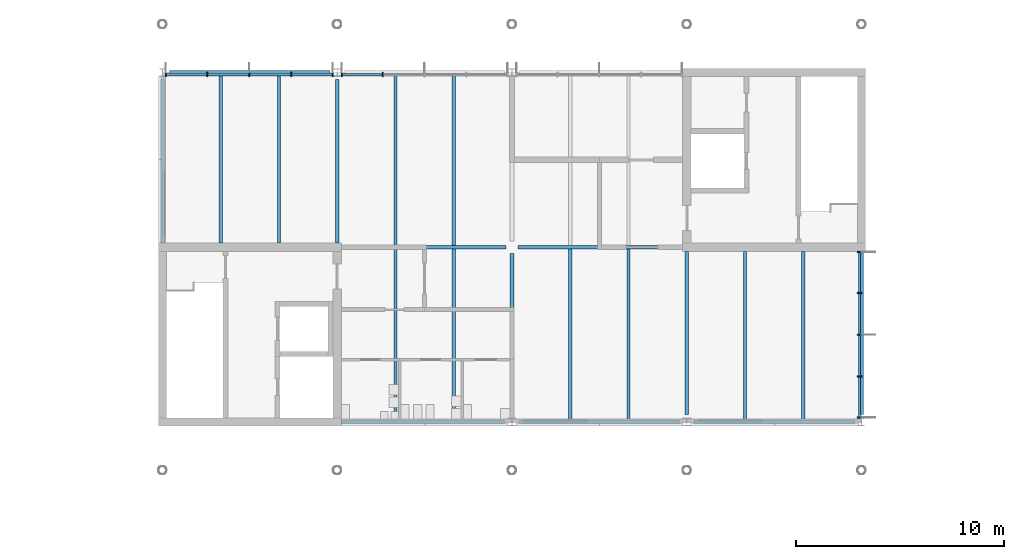
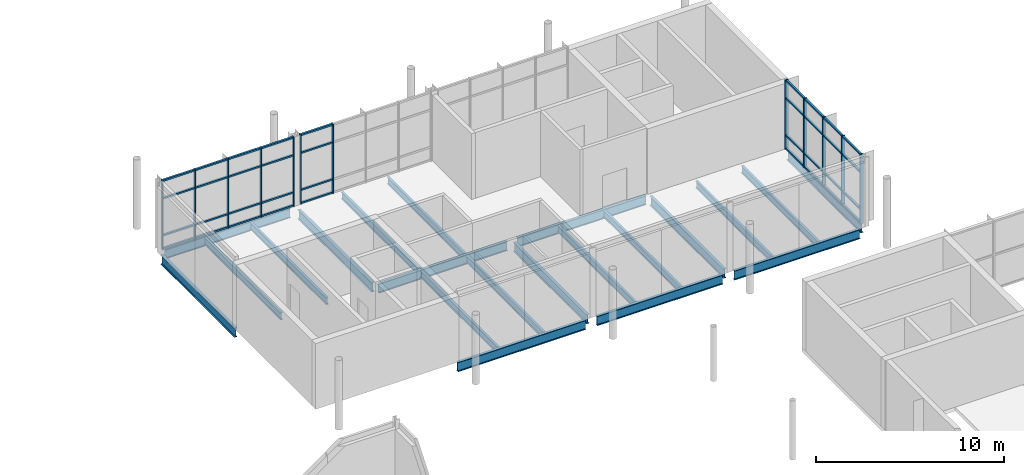
# One storey, part 31 of 89: 48 members, 21 beams, 3 elements without a shape of their own.
"""IFC4 building model written with IfcOpenShell, lengths in metres."""

import ifcopenshell
import ifcopenshell.guid

model = None  # the IFC model being written
_history = None  # IfcOwnerHistory: only IFC2X3 demands one
_inside = {}  # id of a spatial element -> (the spatial element, [elements in it])
_under = {}  # id of a project, library or spatial element -> (it, [spatial elements below it])
_declared = {}  # id of a project -> (the project, [libraries it declares])
_typed = {}  # id of a type object -> (the type object, [elements of that type])
_made_of = {}  # id of a material, layer set ... -> (it, [elements and type objects made of it])


def new_model(schema):
    """Start an empty IFC model of exactly this schema.

    Asked for "IFC4X3", IfcOpenShell would pick the latest addendum, in which some entities
    have other attributes; the version numbers below select the first issue.
    IFC2X3 requires an IfcOwnerHistory on every rooted entity: one is made here for all.
    """
    global model, _history
    if schema == "IFC4X3":
        model = ifcopenshell.file(schema_version=(4, 3, 0, 0))
    else:
        model = ifcopenshell.file(schema=schema)
    _inside.clear()
    _under.clear()
    _declared.clear()
    _typed.clear()
    _made_of.clear()
    _history = None
    if model.schema == "IFC2X3":
        org = make("IfcOrganization", Name="unknown")
        user = make(
            "IfcPersonAndOrganization",
            ThePerson=make("IfcPerson", FamilyName="unknown"),
            TheOrganization=org,
        )
        app = make(
            "IfcApplication",
            ApplicationDeveloper=org,
            Version="unknown",
            ApplicationFullName="unknown",
            ApplicationIdentifier="unknown",
        )
        _history = make(
            "IfcOwnerHistory",
            OwningUser=user,
            OwningApplication=app,
            ChangeAction="ADDED",
            CreationDate=0,
        )
    return model


def make(cls, **values):
    """One entity of the class cls with the attributes given. An attribute that is None is left unset."""
    return model.create_entity(
        cls, **{name: value for name, value in values.items() if value is not None}
    )


def rooted(cls, **values):
    """An entity with a GlobalId (a new one), such as an element, a storey or a relation."""
    return make(cls, GlobalId=ifcopenshell.guid.new(), OwnerHistory=_history, **values)


def si_unit(unit_type, name, prefix=None):
    """IfcSIUnit, for example si_unit("LENGTHUNIT", "METRE", prefix="MILLI")."""
    return make("IfcSIUnit", UnitType=unit_type, Prefix=prefix, Name=name)


def assignment(units):
    """IfcUnitAssignment: the units of a project."""
    return None if units is None else make("IfcUnitAssignment", Units=units)


def point(xyz):
    """IfcCartesianPoint."""
    return None if xyz is None else make("IfcCartesianPoint", Coordinates=xyz)


def direction(xyz):
    """IfcDirection."""
    return None if xyz is None else make("IfcDirection", DirectionRatios=xyz)


def frame(location, z_axis=None, x_axis=None):
    """IfcAxis2Placement3D, a coordinate frame: its origin and axes. An axis left out is left unset."""
    return make(
        "IfcAxis2Placement3D",
        Location=point(location),
        Axis=direction(z_axis),
        RefDirection=direction(x_axis),
    )


def frame_2d(location, x_axis=None):
    """IfcAxis2Placement2D, a coordinate frame in the plane: its origin and x axis."""
    return make(
        "IfcAxis2Placement2D", Location=point(location), RefDirection=direction(x_axis)
    )


def origin():
    """The frame at (0, 0, 0) with its axes left unset."""
    return frame((0.0, 0.0, 0.0))


def origin_2d():
    """The frame at (0, 0) in the plane with its x axis left unset."""
    return frame_2d((0.0, 0.0))


def place(relative_to, where):
    """IfcLocalPlacement: puts the frame where relative to a parent placement (None: the world)."""
    return make(
        "IfcLocalPlacement", PlacementRelTo=relative_to, RelativePlacement=where
    )


def context(
    kind, dimensions, precision=None, world=None, true_north=None, identifier=None
):
    """IfcGeometricRepresentationContext, for example the 3D "Model" context."""
    return make(
        "IfcGeometricRepresentationContext",
        ContextIdentifier=identifier,
        ContextType=kind,
        CoordinateSpaceDimension=dimensions,
        Precision=precision,
        WorldCoordinateSystem=world,
        TrueNorth=true_north,
    )


def subcontext(parent, identifier, kind, view, scale=None):
    """IfcGeometricRepresentationSubContext, for example "Body" below "Model"."""
    return make(
        "IfcGeometricRepresentationSubContext",
        ContextIdentifier=identifier,
        ContextType=kind,
        ParentContext=parent,
        TargetScale=scale,
        TargetView=view,
    )


def project(units=None, contexts=None):
    """IfcProject with its units and contexts."""
    return rooted(
        "IfcProject",
        Name="project",
        RepresentationContexts=contexts,
        UnitsInContext=assignment(units),
    )


def spatial(cls, under=None, at=None, **own):
    """A site, building, storey or space (cls), placed at a placement, below another one or the project."""
    s = rooted(cls, ObjectPlacement=at, **own)
    if under is not None:
        _under.setdefault(under.id(), (under, []))[1].append(s)
    return s


def profile(cls, at=None, kind="AREA", **sizes):
    """A parametric profile (cls). Its sizes go by their IFC names, for example OverallWidth=200.0."""
    return make(cls, ProfileType=kind, Position=at, **sizes)


def rectangle(**sizes):
    """IfcRectangleProfileDef."""
    return profile("IfcRectangleProfileDef", **sizes)


def i_section(**sizes):
    """IfcIShapeProfileDef."""
    return profile("IfcIShapeProfileDef", **sizes)


def extrude(swept, where, along, depth):
    """IfcExtrudedAreaSolid: the profile swept, set in the frame where, extruded along a direction by depth."""
    return make(
        "IfcExtrudedAreaSolid",
        SweptArea=swept,
        Position=where,
        ExtrudedDirection=direction(along),
        Depth=depth,
    )


def shape(context_of_items, identifier, shape_type, items):
    """IfcShapeRepresentation: the items that make up one representation, for example the "Body"."""
    return make(
        "IfcShapeRepresentation",
        ContextOfItems=context_of_items,
        RepresentationIdentifier=identifier,
        RepresentationType=shape_type,
        Items=items,
    )


def material(Name=None, Category=None):
    """IfcMaterial."""
    return make("IfcMaterial", Name=Name, Category=Category)


def material_profile(
    of_material, cross_section, Name=None, Category=None, Priority=None
):
    """IfcMaterialProfile: a cross section and its material."""
    return make(
        "IfcMaterialProfile",
        Name=Name,
        Material=of_material,
        Profile=cross_section,
        Priority=Priority,
        Category=Category,
    )


def profile_set(profiles, Name=None, composite=None):
    """IfcMaterialProfileSet."""
    return make(
        "IfcMaterialProfileSet",
        Name=Name,
        MaterialProfiles=profiles,
        CompositeProfile=composite,
    )


def made_of(thing, what):
    """Note that an element or type object is made of a material, layer set ...; save() writes the relation."""
    if what is not None:
        _made_of.setdefault(what.id(), (what, []))[1].append(thing)
    return thing


def type_object(cls, material=None, **own):
    """A type object (cls), such as IfcWallType, which elements share."""
    return made_of(rooted(cls, **own), material)


def element(
    cls,
    number,
    at=None,
    inside=None,
    cuts=None,
    type_object=None,
    material=None,
    context=None,
    identifier="Body",
    shape_type=None,
    held_by="IfcProductDefinitionShape",
    body=None,
    shapes=None,
    **own,
):
    """One element of the class cls, such as IfcWall. Its Tag is "e" and its number.

    at: its placement. inside: the storey or other place that contains it. cuts: it is an
    opening in that element (IfcRelVoidsElement). A single representation is given by context,
    identifier, shape_type and body (its items); several are given by shapes. held_by: the class
    of the entity that holds the representations. save() writes the other relations.
    """
    e = rooted(cls, Tag="e%d" % number, ObjectPlacement=at, **own)
    if body is not None:
        shapes = [shape(context, identifier, shape_type, body)]
    if shapes is not None:
        e.Representation = make(held_by, Representations=shapes)
    if inside is not None:
        _inside.setdefault(inside.id(), (inside, []))[1].append(e)
    if cuts is not None:
        rooted(
            "IfcRelVoidsElement", RelatingBuildingElement=cuts, RelatedOpeningElement=e
        )
    if type_object is not None:
        _typed.setdefault(type_object.id(), (type_object, []))[1].append(e)
    return made_of(e, material)


def aggregate(whole, parts):
    """IfcRelAggregates: a whole, such as a stair, and the parts it consists of."""
    return rooted("IfcRelAggregates", RelatingObject=whole, RelatedObjects=parts)


def save(model, path):
    """Write the relations noted so far, then the file.

    IfcRelAggregates (storeys below a building ...), IfcRelContainedInSpatialStructure (elements
    in a storey), IfcRelDefinesByType, IfcRelAssociatesMaterial and IfcRelDeclares: one each for
    every whole, place, type object, material and project.
    """
    for whole, parts in _under.values():
        aggregate(whole, parts)
    for where, things in _inside.values():
        rooted(
            "IfcRelContainedInSpatialStructure",
            RelatedElements=things,
            RelatingStructure=where,
        )
    for kind, things in _typed.values():
        rooted("IfcRelDefinesByType", RelatedObjects=things, RelatingType=kind)
    for what, things in _made_of.values():
        rooted("IfcRelAssociatesMaterial", RelatedObjects=things, RelatingMaterial=what)
    for by, libraries in _declared.values():
        rooted("IfcRelDeclares", RelatingContext=by, RelatedDefinitions=libraries)
    model.write(path)


model = new_model("IFC4")

# Units and contexts
model_context = context("Model", 3, precision=1e-05, world=origin(), true_north=direction((0.0, 1.0)))
body_context = subcontext(model_context, "Body", "Model", "MODEL_VIEW")
ifc_project = project(units=[si_unit("LENGTHUNIT", "METRE"), si_unit("AREAUNIT", "SQUARE_METRE"), si_unit("VOLUMEUNIT", "CUBIC_METRE"), si_unit("PLANEANGLEUNIT", "RADIAN"), si_unit("MASSUNIT", "GRAM", prefix="KILO")], contexts=[model_context])

# Site, building, storey
site_placement = place(None, origin())
site = spatial("IfcSite", under=ifc_project, at=site_placement, CompositionType="ELEMENT")
building_placement = place(site_placement, origin())
building = spatial("IfcBuilding", under=site, at=building_placement, Name="Hlaing Beacon Police Headquarters", CompositionType="ELEMENT")
storey_placement = place(building_placement, frame((0.0, 0.0, 9.89990234375)))
storey = spatial("IfcBuildingStorey", under=building, at=storey_placement, Name="L02", CompositionType="ELEMENT", Elevation=9.89990234375)

# Beams
ifc_material_1 = material(Name="Steel ASTM A992 Grade 50", Category="steel")
ifc_material_profile_1 = material_profile(ifc_material_1, i_section(OverallWidth=0.177978515625, OverallDepth=0.599365234375, WebThickness=0.010009765625, FlangeThickness=0.012939453125, FilletRadius=0.012939453125, at=origin_2d()), Name="W24x55")
ifc_profile_set_1 = profile_set([ifc_material_profile_1], Name="Steel ASTM A992 Grade 50")
beam_type_1 = type_object("IfcBeamType", Name="Girder W24x55", PredefinedType="BEAM", material=ifc_profile_set_1)
beam_1_placement = place(storey_placement, frame((42.199951171875, 75.60009765625, -0.4296875), z_axis=(1.0, 0.0, 0.0), x_axis=(0.0, 1.0, 0.0)))
element("IfcBeam", 1, at=beam_1_placement, inside=storey, type_object=beam_type_1, Name="STR-BM-L02-GX-F10-G10", PredefinedType="BEAM", context=body_context, shape_type="SweptSolid", body=[
    extrude(i_section(OverallWidth=0.177978515625, OverallDepth=0.599365234375, WebThickness=0.010009765625, FlangeThickness=0.012939453125, FilletRadius=0.012939453125, at=origin_2d()), origin(), (0.0, 0.0, 1.0), 7.85009765625),
])
beam_2_placement = place(storey_placement, frame((50.75, 75.60009765625, -0.4296875), z_axis=(1.0, 0.0, 0.0), x_axis=(0.0, 1.0, 0.0)))
element("IfcBeam", 2, at=beam_2_placement, inside=storey, type_object=beam_type_1, Name="STR-BM-L02-GX-G10-H10", PredefinedType="BEAM", context=body_context, shape_type="SweptSolid", body=[
    extrude(i_section(OverallWidth=0.177978515625, OverallDepth=0.599365234375, WebThickness=0.010009765625, FlangeThickness=0.012939453125, FilletRadius=0.012939453125, at=origin_2d()), origin(), (0.0, 0.0, 1.0), 7.699951171875),
])
beam_3_placement = place(storey_placement, frame((59.14990234375, 75.60009765625, -0.4296875), z_axis=(1.0, 0.0, 0.0), x_axis=(0.0, 1.0, 0.0)))
element("IfcBeam", 3, at=beam_3_placement, inside=storey, type_object=beam_type_1, Name="STR-BM-L02-GX-H10-J10", PredefinedType="BEAM", context=body_context, shape_type="SweptSolid", body=[
    extrude(i_section(OverallWidth=0.177978515625, OverallDepth=0.599365234375, WebThickness=0.010009765625, FlangeThickness=0.012939453125, FilletRadius=0.012939453125, at=origin_2d()), origin(), (0.0, 0.0, 1.0), 7.7001953125),
])
for number, where, z_axis, x_axis, name in (
    (4, (42.199951171875, 84.0, -0.4296875), (1.0, 0.0, 0.0), (0.0, 1.0, 0.0), "STR-BM-L02-GX-F11-G11"),
    (5, (50.699951171875, 84.0, -0.4296875), (1.0, 0.0, 0.0), (0.0, 1.0, 0.0), "STR-BM-L02-GX-G11-H11"),
):
    element("IfcBeam", number, at=place(storey_placement, frame(where, z_axis=z_axis, x_axis=x_axis)), inside=storey, type_object=beam_type_1, Name=name, PredefinedType="BEAM", context=body_context, shape_type="SweptSolid", body=[
        extrude(i_section(OverallWidth=0.177978515625, OverallDepth=0.599365234375, WebThickness=0.010009765625, FlangeThickness=0.012939453125, FilletRadius=0.012939453125, at=origin_2d()), origin(), (0.0, 0.0, 1.0), 7.900146484375),
    ])
beam_4_placement = place(storey_placement, frame((33.949951171875, 92.39990234375, -0.4296875), z_axis=(1.0, 0.0, 0.0), x_axis=(0.0, 1.0, 0.0)))
element("IfcBeam", 6, at=beam_4_placement, inside=storey, type_object=beam_type_1, Name="STR-BM-L02-GX-E12-F12", PredefinedType="BEAM", context=body_context, shape_type="SweptSolid", body=[
    extrude(i_section(OverallWidth=0.177978515625, OverallDepth=0.599365234375, WebThickness=0.010009765625, FlangeThickness=0.012939453125, FilletRadius=0.012939453125, at=origin_2d()), origin(), (0.0, 0.0, 1.0), 7.699951171875),
])
for number, where, z_axis, x_axis, name in (
    (7, (33.60009765625, 84.199951171875, -0.4296875), (0.0, 1.0, 0.0), (-1.0, 0.0, 0.0), "STR-BM-L02-GY-E11-E12"),
    (8, (42.0, 84.199951171875, -0.4296875), (0.0, 1.0, 0.0), (-1.0, 0.0, 0.0), "STR-BM-L02-GY-F11-F12"),
):
    element("IfcBeam", number, at=place(storey_placement, frame(where, z_axis=z_axis, x_axis=x_axis)), inside=storey, type_object=beam_type_1, Name=name, PredefinedType="BEAM", context=body_context, shape_type="SweptSolid", body=[
        extrude(i_section(OverallWidth=0.177978515625, OverallDepth=0.599365234375, WebThickness=0.010009765625, FlangeThickness=0.012939453125, FilletRadius=0.012939453125, at=origin_2d()), origin(), (0.0, 0.0, 1.0), 7.85009765625),
    ])
beam_5_placement = place(storey_placement, frame((50.39990234375, 75.949951171875, -0.4296875), z_axis=(0.0, 1.0, 0.0), x_axis=(-1.0, 0.0, 0.0)))
element("IfcBeam", 9, at=beam_5_placement, inside=storey, type_object=beam_type_1, Name="STR-BM-L02-GY-G10-G11", PredefinedType="BEAM", context=body_context, shape_type="SweptSolid", body=[
    extrude(i_section(OverallWidth=0.177978515625, OverallDepth=0.599365234375, WebThickness=0.010009765625, FlangeThickness=0.012939453125, FilletRadius=0.012939453125, at=origin_2d()), origin(), (0.0, 0.0, 1.0), 7.75),
])
for number, where, z_axis, x_axis, name in (
    (10, (58.800048828125, 75.949951171875, -0.4296875), (0.0, 1.0, 0.0), (-1.0, 0.0, 0.0), "STR-BM-L02-GY-H10-H11"),
    (11, (67.199951171875, 75.949951171875, -0.4296875), (0.0, 1.0, 0.0), (-1.0, 0.0, 0.0), "STR-BM-L02-GY-J10-J11"),
):
    element("IfcBeam", number, at=place(storey_placement, frame(where, z_axis=z_axis, x_axis=x_axis)), inside=storey, type_object=beam_type_1, Name=name, PredefinedType="BEAM", context=body_context, shape_type="SweptSolid", body=[
        extrude(i_section(OverallWidth=0.177978515625, OverallDepth=0.599365234375, WebThickness=0.010009765625, FlangeThickness=0.012939453125, FilletRadius=0.012939453125, at=origin_2d()), origin(), (0.0, 0.0, 1.0), 7.85009765625),
    ])

# Curtain wall, members
ifc_material_2 = material(Name="Aluminium frame with solar control glazing", Category="aluminium")
curtain_wall_type_1 = type_object("IfcCurtainWallType", Name="Unitised curtain wall 8.03 x 4.50", PredefinedType="NOTDEFINED", material=ifc_material_2)
curtain_wall_1_placement = place(storey_placement, origin())
curtain_wall_1 = element("IfcCurtainWall", 12, at=curtain_wall_1_placement, inside=storey, type_object=curtain_wall_type_1, Name="ENV-CW-L02-N035", PredefinedType="NOTDEFINED")
ifc_material_3 = material(Name="Aluminium", Category="aluminium")
ifc_material_profile_2 = material_profile(ifc_material_3, rectangle(XDim=0.199951171875, YDim=0.06005859375, at=origin_2d()), Name="Mullion 60x200")
ifc_profile_set_2 = profile_set([ifc_material_profile_2], Name="Aluminium")
member_type_1 = type_object("IfcMemberType", Name="Mullion 60x200", PredefinedType="MULLION", material=ifc_profile_set_2)
member_1_placement = place(storey_placement, frame((44.192626953125, 92.300048828125, 0.0), z_axis=(0.0, 0.0, 1.0), x_axis=(0.0, -1.0, 0.0)))
member_1 = element("IfcMember", 13, at=member_1_placement, type_object=member_type_1, Name="CW-L02-N035 mullion 4", PredefinedType="MULLION", context=body_context, shape_type="SweptSolid", body=[
    extrude(rectangle(XDim=0.199951171875, YDim=0.06005859375, at=origin_2d()), origin(), (0.0, 0.0, 1.0), 4.5),
])
member_2_placement = place(storey_placement, frame((42.21533203125, 92.300048828125, 0.0), z_axis=(0.0, 0.0, 1.0), x_axis=(0.0, -1.0, 0.0)))
member_2 = element("IfcMember", 14, at=member_2_placement, type_object=member_type_1, Name="CW-L02-N035 mullion 5", PredefinedType="MULLION", context=body_context, shape_type="SweptSolid", body=[
    extrude(rectangle(XDim=0.199951171875, YDim=0.06005859375, at=origin_2d()), origin(), (0.0, 0.0, 1.0), 4.5),
])

ifc_material_4 = material(Name="Aluminium frame with solar control glazing", Category="aluminium")
curtain_wall_type_2 = type_object("IfcCurtainWallType", Name="Unitised curtain wall 8.09 x 4.50", PredefinedType="NOTDEFINED", material=ifc_material_4)
curtain_wall_2_placement = place(storey_placement, origin())
curtain_wall_2 = element("IfcCurtainWall", 15, at=curtain_wall_2_placement, inside=storey, type_object=curtain_wall_type_2, Name="ENV-CW-L02-N036", PredefinedType="NOTDEFINED")
member_3_placement = place(storey_placement, frame((41.78466796875, 92.300048828125, 0.0), z_axis=(0.0, 0.0, 1.0), x_axis=(0.0, -1.0, 0.0)))
member_3 = element("IfcMember", 16, at=member_3_placement, type_object=member_type_1, Name="CW-L02-N036 mullion 1", PredefinedType="MULLION", context=body_context, shape_type="SweptSolid", body=[
    extrude(rectangle(XDim=0.199951171875, YDim=0.06005859375, at=origin_2d()), origin(), (0.0, 0.0, 1.0), 4.5),
])
member_4_placement = place(storey_placement, frame((39.79296875, 92.300048828125, 0.0), z_axis=(0.0, 0.0, 1.0), x_axis=(0.0, -1.0, 0.0)))
member_4 = element("IfcMember", 17, at=member_4_placement, type_object=member_type_1, Name="CW-L02-N036 mullion 2", PredefinedType="MULLION", context=body_context, shape_type="SweptSolid", body=[
    extrude(rectangle(XDim=0.199951171875, YDim=0.06005859375, at=origin_2d()), origin(), (0.0, 0.0, 1.0), 4.5),
])
member_5_placement = place(storey_placement, frame((37.771484375, 92.300048828125, 0.0), z_axis=(0.0, 0.0, 1.0), x_axis=(0.0, -1.0, 0.0)))
member_5 = element("IfcMember", 18, at=member_5_placement, type_object=member_type_1, Name="CW-L02-N036 mullion 3", PredefinedType="MULLION", context=body_context, shape_type="SweptSolid", body=[
    extrude(rectangle(XDim=0.199951171875, YDim=0.06005859375, at=origin_2d()), origin(), (0.0, 0.0, 1.0), 4.5),
])
member_6_placement = place(storey_placement, frame((35.749755859375, 92.300048828125, 0.0), z_axis=(0.0, 0.0, 1.0), x_axis=(0.0, -1.0, 0.0)))
member_6 = element("IfcMember", 19, at=member_6_placement, type_object=member_type_1, Name="CW-L02-N036 mullion 4", PredefinedType="MULLION", context=body_context, shape_type="SweptSolid", body=[
    extrude(rectangle(XDim=0.199951171875, YDim=0.06005859375, at=origin_2d()), origin(), (0.0, 0.0, 1.0), 4.5),
])
member_7_placement = place(storey_placement, frame((33.75830078125, 92.300048828125, 0.0), z_axis=(0.0, 0.0, 1.0), x_axis=(0.0, -1.0, 0.0)))
member_7 = element("IfcMember", 20, at=member_7_placement, type_object=member_type_1, Name="CW-L02-N036 mullion 5", PredefinedType="MULLION", context=body_context, shape_type="SweptSolid", body=[
    extrude(rectangle(XDim=0.199951171875, YDim=0.06005859375, at=origin_2d()), origin(), (0.0, 0.0, 1.0), 4.5),
])

ifc_material_5 = material(Name="Aluminium frame with solar control glazing", Category="aluminium")
curtain_wall_type_3 = type_object("IfcCurtainWallType", Name="Unitised curtain wall 8.02 x 4.50", PredefinedType="NOTDEFINED", material=ifc_material_5)
curtain_wall_3_placement = place(storey_placement, origin())
curtain_wall_3 = element("IfcCurtainWall", 21, at=curtain_wall_3_placement, inside=storey, type_object=curtain_wall_type_3, Name="ENV-CW-L02-E037", PredefinedType="NOTDEFINED")
member_8_placement = place(storey_placement, frame((67.10009765625, 75.8115234375, 0.0), z_axis=(0.0, 0.0, 1.0), x_axis=(-1.0, 0.0, 0.0)))
member_8 = element("IfcMember", 22, at=member_8_placement, type_object=member_type_1, Name="CW-L02-E037 mullion 1", PredefinedType="MULLION", context=body_context, shape_type="SweptSolid", body=[
    extrude(rectangle(XDim=0.199951171875, YDim=0.06005859375, at=origin_2d()), origin(), (0.0, 0.0, 1.0), 4.5),
])
member_9_placement = place(storey_placement, frame((67.10009765625, 77.7861328125, 0.0), z_axis=(0.0, 0.0, 1.0), x_axis=(-1.0, 0.0, 0.0)))
member_9 = element("IfcMember", 23, at=member_9_placement, type_object=member_type_1, Name="CW-L02-E037 mullion 2", PredefinedType="MULLION", context=body_context, shape_type="SweptSolid", body=[
    extrude(rectangle(XDim=0.199951171875, YDim=0.06005859375, at=origin_2d()), origin(), (0.0, 0.0, 1.0), 4.5),
])
member_10_placement = place(storey_placement, frame((67.10009765625, 79.790771484375, 0.0), z_axis=(0.0, 0.0, 1.0), x_axis=(-1.0, 0.0, 0.0)))
member_10 = element("IfcMember", 24, at=member_10_placement, type_object=member_type_1, Name="CW-L02-E037 mullion 3", PredefinedType="MULLION", context=body_context, shape_type="SweptSolid", body=[
    extrude(rectangle(XDim=0.199951171875, YDim=0.06005859375, at=origin_2d()), origin(), (0.0, 0.0, 1.0), 4.5),
])
member_11_placement = place(storey_placement, frame((67.10009765625, 81.79541015625, 0.0), z_axis=(0.0, 0.0, 1.0), x_axis=(-1.0, 0.0, 0.0)))
member_11 = element("IfcMember", 25, at=member_11_placement, type_object=member_type_1, Name="CW-L02-E037 mullion 4", PredefinedType="MULLION", context=body_context, shape_type="SweptSolid", body=[
    extrude(rectangle(XDim=0.199951171875, YDim=0.06005859375, at=origin_2d()), origin(), (0.0, 0.0, 1.0), 4.5),
])
member_12_placement = place(storey_placement, frame((67.10009765625, 83.77001953125, 0.0), z_axis=(0.0, 0.0, 1.0), x_axis=(-1.0, 0.0, 0.0)))
member_12 = element("IfcMember", 26, at=member_12_placement, type_object=member_type_1, Name="CW-L02-E037 mullion 5", PredefinedType="MULLION", context=body_context, shape_type="SweptSolid", body=[
    extrude(rectangle(XDim=0.199951171875, YDim=0.06005859375, at=origin_2d()), origin(), (0.0, 0.0, 1.0), 4.5),
])

# Beams
ifc_material_6 = material(Name="Steel ASTM A992 Grade 50", Category="steel")
ifc_material_profile_3 = material_profile(ifc_material_6, i_section(OverallWidth=0.15234375, OverallDepth=0.449462890625, WebThickness=0.007568359375, FlangeThickness=0.0107421875, FilletRadius=0.01025390625, at=origin_2d()), Name="W18x35")
ifc_profile_set_3 = profile_set([ifc_material_profile_3], Name="Steel ASTM A992 Grade 50")
beam_type_2 = type_object("IfcBeamType", Name="Secondary beam W18x35", PredefinedType="BEAM", material=ifc_profile_set_3)
for number, where, z_axis, x_axis, name in (
    (27, (36.39990234375, 84.199951171875, -0.354736328125), (0.0, 1.0, 0.0), (-1.0, 0.0, 0.0), "STR-BM-L02-SB-E11-y1"),
    (28, (39.199951171875, 84.199951171875, -0.354736328125), (0.0, 1.0, 0.0), (-1.0, 0.0, 0.0), "STR-BM-L02-SB-E11-y2"),
):
    element("IfcBeam", number, at=place(storey_placement, frame(where, z_axis=z_axis, x_axis=x_axis)), inside=storey, type_object=beam_type_2, Name=name, PredefinedType="BEAM", context=body_context, shape_type="SweptSolid", body=[
        extrude(i_section(OverallWidth=0.15234375, OverallDepth=0.449462890625, WebThickness=0.007568359375, FlangeThickness=0.0107421875, FilletRadius=0.01025390625, at=origin_2d()), origin(), (0.0, 0.0, 1.0), 8.111083984375),
    ])
for number, where, z_axis, x_axis, name in (
    (29, (44.800048828125, 75.68896484375, -0.354736328125), (0.0, 1.0, 0.0), (-1.0, 0.0, 0.0), "STR-BM-L02-SB-F10-y1"),
    (30, (47.60009765625, 75.68896484375, -0.354736328125), (0.0, 1.0, 0.0), (-1.0, 0.0, 0.0), "STR-BM-L02-SB-F10-y2"),
    (31, (44.800048828125, 84.089111328125, -0.354736328125), (0.0, 1.0, 0.0), (-1.0, 0.0, 0.0), "STR-BM-L02-SB-F11-y1"),
    (32, (47.60009765625, 84.089111328125, -0.354736328125), (0.0, 1.0, 0.0), (-1.0, 0.0, 0.0), "STR-BM-L02-SB-F11-y2"),
    (33, (53.199951171875, 75.68896484375, -0.354736328125), (0.0, 1.0, 0.0), (-1.0, 0.0, 0.0), "STR-BM-L02-SB-G10-y1"),
    (34, (56.0, 75.68896484375, -0.354736328125), (0.0, 1.0, 0.0), (-1.0, 0.0, 0.0), "STR-BM-L02-SB-G10-y2"),
):
    element("IfcBeam", number, at=place(storey_placement, frame(where, z_axis=z_axis, x_axis=x_axis)), inside=storey, type_object=beam_type_2, Name=name, PredefinedType="BEAM", context=body_context, shape_type="SweptSolid", body=[
        extrude(i_section(OverallWidth=0.15234375, OverallDepth=0.449462890625, WebThickness=0.007568359375, FlangeThickness=0.0107421875, FilletRadius=0.01025390625, at=origin_2d()), origin(), (0.0, 0.0, 1.0), 8.221923828125),
    ])
for number, where, z_axis, x_axis, name in (
    (35, (61.60009765625, 75.68896484375, -0.354736328125), (0.0, 1.0, 0.0), (-1.0, 0.0, 0.0), "STR-BM-L02-SB-H10-y1"),
    (36, (64.39990234375, 75.68896484375, -0.354736328125), (0.0, 1.0, 0.0), (-1.0, 0.0, 0.0), "STR-BM-L02-SB-H10-y2"),
):
    element("IfcBeam", number, at=place(storey_placement, frame(where, z_axis=z_axis, x_axis=x_axis)), inside=storey, type_object=beam_type_2, Name=name, PredefinedType="BEAM", context=body_context, shape_type="SweptSolid", body=[
        extrude(i_section(OverallWidth=0.15234375, OverallDepth=0.449462890625, WebThickness=0.007568359375, FlangeThickness=0.0107421875, FilletRadius=0.01025390625, at=origin_2d()), origin(), (0.0, 0.0, 1.0), 8.111083984375),
    ])

# Member
ifc_material_7 = material(Name="Aluminium", Category="aluminium")
ifc_material_profile_4 = material_profile(ifc_material_7, rectangle(XDim=0.1201171875, YDim=0.10009765625, at=origin_2d()), Name="Transom 120x100")
ifc_profile_set_4 = profile_set([ifc_material_profile_4], Name="Aluminium")
member_type_2 = type_object("IfcMemberType", Name="Transom 120x100", PredefinedType="USERDEFINED", material=ifc_profile_set_4)
member_13_placement = place(storey_placement, frame((44.16259765625, 92.300048828125, 0.050048828125), z_axis=(-1.0, 0.0, 0.0), x_axis=(0.0, -1.0, 0.0)))
member_13 = element("IfcMember", 37, at=member_13_placement, type_object=member_type_2, Name="CW-L02-N035 transom 4.1", ObjectType="TRANSOM", PredefinedType="USERDEFINED", context=body_context, shape_type="SweptSolid", body=[
    extrude(rectangle(XDim=0.1201171875, YDim=0.10009765625, at=origin_2d()), origin(), (0.0, 0.0, 1.0), 1.917236328125),
])

member_14_placement = place(storey_placement, frame((44.16259765625, 92.300048828125, 0.900146484375), z_axis=(-1.0, 0.0, 0.0), x_axis=(0.0, -1.0, 0.0)))
member_14 = element("IfcMember", 38, at=member_14_placement, type_object=member_type_2, Name="CW-L02-N035 transom 4.2", ObjectType="TRANSOM", PredefinedType="USERDEFINED", context=body_context, shape_type="SweptSolid", body=[
    extrude(rectangle(XDim=0.1201171875, YDim=0.10009765625, at=origin_2d()), origin(), (0.0, 0.0, 1.0), 1.917236328125),
])

member_15_placement = place(storey_placement, frame((44.16259765625, 92.300048828125, 3.300048828125), z_axis=(-1.0, 0.0, 0.0), x_axis=(0.0, -1.0, 0.0)))
member_15 = element("IfcMember", 39, at=member_15_placement, type_object=member_type_2, Name="CW-L02-N035 transom 4.3", ObjectType="TRANSOM", PredefinedType="USERDEFINED", context=body_context, shape_type="SweptSolid", body=[
    extrude(rectangle(XDim=0.1201171875, YDim=0.10009765625, at=origin_2d()), origin(), (0.0, 0.0, 1.0), 1.917236328125),
])

member_16_placement = place(storey_placement, frame((44.16259765625, 92.300048828125, 4.4501953125), z_axis=(-1.0, 0.0, 0.0), x_axis=(0.0, -1.0, 0.0)))
member_16 = element("IfcMember", 40, at=member_16_placement, type_object=member_type_2, Name="CW-L02-N035 transom 4.4", ObjectType="TRANSOM", PredefinedType="USERDEFINED", context=body_context, shape_type="SweptSolid", body=[
    extrude(rectangle(XDim=0.1201171875, YDim=0.10009765625, at=origin_2d()), origin(), (0.0, 0.0, 1.0), 1.917236328125),
])

aggregate(curtain_wall_1, [member_1, member_2, member_13, member_14, member_15, member_16])

member_17_placement = place(storey_placement, frame((41.754638671875, 92.300048828125, 0.050048828125), z_axis=(-1.0, 0.0, 0.0), x_axis=(0.0, -1.0, 0.0)))
member_17 = element("IfcMember", 41, at=member_17_placement, type_object=member_type_2, Name="CW-L02-N036 transom 1.1", ObjectType="TRANSOM", PredefinedType="USERDEFINED", context=body_context, shape_type="SweptSolid", body=[
    extrude(rectangle(XDim=0.1201171875, YDim=0.10009765625, at=origin_2d()), origin(), (0.0, 0.0, 1.0), 1.931640625),
])

member_18_placement = place(storey_placement, frame((41.754638671875, 92.300048828125, 0.900146484375), z_axis=(-1.0, 0.0, 0.0), x_axis=(0.0, -1.0, 0.0)))
member_18 = element("IfcMember", 42, at=member_18_placement, type_object=member_type_2, Name="CW-L02-N036 transom 1.2", ObjectType="TRANSOM", PredefinedType="USERDEFINED", context=body_context, shape_type="SweptSolid", body=[
    extrude(rectangle(XDim=0.1201171875, YDim=0.10009765625, at=origin_2d()), origin(), (0.0, 0.0, 1.0), 1.931640625),
])

member_19_placement = place(storey_placement, frame((41.754638671875, 92.300048828125, 3.300048828125), z_axis=(-1.0, 0.0, 0.0), x_axis=(0.0, -1.0, 0.0)))
member_19 = element("IfcMember", 43, at=member_19_placement, type_object=member_type_2, Name="CW-L02-N036 transom 1.3", ObjectType="TRANSOM", PredefinedType="USERDEFINED", context=body_context, shape_type="SweptSolid", body=[
    extrude(rectangle(XDim=0.1201171875, YDim=0.10009765625, at=origin_2d()), origin(), (0.0, 0.0, 1.0), 1.931640625),
])

member_20_placement = place(storey_placement, frame((41.754638671875, 92.300048828125, 4.4501953125), z_axis=(-1.0, 0.0, 0.0), x_axis=(0.0, -1.0, 0.0)))
member_20 = element("IfcMember", 44, at=member_20_placement, type_object=member_type_2, Name="CW-L02-N036 transom 1.4", ObjectType="TRANSOM", PredefinedType="USERDEFINED", context=body_context, shape_type="SweptSolid", body=[
    extrude(rectangle(XDim=0.1201171875, YDim=0.10009765625, at=origin_2d()), origin(), (0.0, 0.0, 1.0), 1.931640625),
])

member_21_placement = place(storey_placement, frame((39.762939453125, 92.300048828125, 0.050048828125), z_axis=(-1.0, 0.0, 0.0), x_axis=(0.0, -1.0, 0.0)))
member_21 = element("IfcMember", 45, at=member_21_placement, type_object=member_type_2, Name="CW-L02-N036 transom 2.1", ObjectType="TRANSOM", PredefinedType="USERDEFINED", context=body_context, shape_type="SweptSolid", body=[
    extrude(rectangle(XDim=0.1201171875, YDim=0.10009765625, at=origin_2d()), origin(), (0.0, 0.0, 1.0), 1.96142578125),
])

member_22_placement = place(storey_placement, frame((39.762939453125, 92.300048828125, 0.900146484375), z_axis=(-1.0, 0.0, 0.0), x_axis=(0.0, -1.0, 0.0)))
member_22 = element("IfcMember", 46, at=member_22_placement, type_object=member_type_2, Name="CW-L02-N036 transom 2.2", ObjectType="TRANSOM", PredefinedType="USERDEFINED", context=body_context, shape_type="SweptSolid", body=[
    extrude(rectangle(XDim=0.1201171875, YDim=0.10009765625, at=origin_2d()), origin(), (0.0, 0.0, 1.0), 1.96142578125),
])

member_23_placement = place(storey_placement, frame((39.762939453125, 92.300048828125, 3.300048828125), z_axis=(-1.0, 0.0, 0.0), x_axis=(0.0, -1.0, 0.0)))
member_23 = element("IfcMember", 47, at=member_23_placement, type_object=member_type_2, Name="CW-L02-N036 transom 2.3", ObjectType="TRANSOM", PredefinedType="USERDEFINED", context=body_context, shape_type="SweptSolid", body=[
    extrude(rectangle(XDim=0.1201171875, YDim=0.10009765625, at=origin_2d()), origin(), (0.0, 0.0, 1.0), 1.96142578125),
])

member_24_placement = place(storey_placement, frame((39.762939453125, 92.300048828125, 4.4501953125), z_axis=(-1.0, 0.0, 0.0), x_axis=(0.0, -1.0, 0.0)))
member_24 = element("IfcMember", 48, at=member_24_placement, type_object=member_type_2, Name="CW-L02-N036 transom 2.4", ObjectType="TRANSOM", PredefinedType="USERDEFINED", context=body_context, shape_type="SweptSolid", body=[
    extrude(rectangle(XDim=0.1201171875, YDim=0.10009765625, at=origin_2d()), origin(), (0.0, 0.0, 1.0), 1.96142578125),
])

member_25_placement = place(storey_placement, frame((37.741455078125, 92.300048828125, 0.050048828125), z_axis=(-1.0, 0.0, 0.0), x_axis=(0.0, -1.0, 0.0)))
member_25 = element("IfcMember", 49, at=member_25_placement, type_object=member_type_2, Name="CW-L02-N036 transom 3.1", ObjectType="TRANSOM", PredefinedType="USERDEFINED", context=body_context, shape_type="SweptSolid", body=[
    extrude(rectangle(XDim=0.1201171875, YDim=0.10009765625, at=origin_2d()), origin(), (0.0, 0.0, 1.0), 1.961669921875),
])

member_26_placement = place(storey_placement, frame((37.741455078125, 92.300048828125, 0.900146484375), z_axis=(-1.0, 0.0, 0.0), x_axis=(0.0, -1.0, 0.0)))
member_26 = element("IfcMember", 50, at=member_26_placement, type_object=member_type_2, Name="CW-L02-N036 transom 3.2", ObjectType="TRANSOM", PredefinedType="USERDEFINED", context=body_context, shape_type="SweptSolid", body=[
    extrude(rectangle(XDim=0.1201171875, YDim=0.10009765625, at=origin_2d()), origin(), (0.0, 0.0, 1.0), 1.961669921875),
])

member_27_placement = place(storey_placement, frame((37.741455078125, 92.300048828125, 3.300048828125), z_axis=(-1.0, 0.0, 0.0), x_axis=(0.0, -1.0, 0.0)))
member_27 = element("IfcMember", 51, at=member_27_placement, type_object=member_type_2, Name="CW-L02-N036 transom 3.3", ObjectType="TRANSOM", PredefinedType="USERDEFINED", context=body_context, shape_type="SweptSolid", body=[
    extrude(rectangle(XDim=0.1201171875, YDim=0.10009765625, at=origin_2d()), origin(), (0.0, 0.0, 1.0), 1.961669921875),
])

member_28_placement = place(storey_placement, frame((37.741455078125, 92.300048828125, 4.4501953125), z_axis=(-1.0, 0.0, 0.0), x_axis=(0.0, -1.0, 0.0)))
member_28 = element("IfcMember", 52, at=member_28_placement, type_object=member_type_2, Name="CW-L02-N036 transom 3.4", ObjectType="TRANSOM", PredefinedType="USERDEFINED", context=body_context, shape_type="SweptSolid", body=[
    extrude(rectangle(XDim=0.1201171875, YDim=0.10009765625, at=origin_2d()), origin(), (0.0, 0.0, 1.0), 1.961669921875),
])

member_29_placement = place(storey_placement, frame((35.719970703125, 92.300048828125, 0.050048828125), z_axis=(-1.0, 0.0, 0.0), x_axis=(0.0, -1.0, 0.0)))
member_29 = element("IfcMember", 53, at=member_29_placement, type_object=member_type_2, Name="CW-L02-N036 transom 4.1", ObjectType="TRANSOM", PredefinedType="USERDEFINED", context=body_context, shape_type="SweptSolid", body=[
    extrude(rectangle(XDim=0.1201171875, YDim=0.10009765625, at=origin_2d()), origin(), (0.0, 0.0, 1.0), 1.931640625),
])

member_30_placement = place(storey_placement, frame((35.719970703125, 92.300048828125, 0.900146484375), z_axis=(-1.0, 0.0, 0.0), x_axis=(0.0, -1.0, 0.0)))
member_30 = element("IfcMember", 54, at=member_30_placement, type_object=member_type_2, Name="CW-L02-N036 transom 4.2", ObjectType="TRANSOM", PredefinedType="USERDEFINED", context=body_context, shape_type="SweptSolid", body=[
    extrude(rectangle(XDim=0.1201171875, YDim=0.10009765625, at=origin_2d()), origin(), (0.0, 0.0, 1.0), 1.931640625),
])

member_31_placement = place(storey_placement, frame((35.719970703125, 92.300048828125, 3.300048828125), z_axis=(-1.0, 0.0, 0.0), x_axis=(0.0, -1.0, 0.0)))
member_31 = element("IfcMember", 55, at=member_31_placement, type_object=member_type_2, Name="CW-L02-N036 transom 4.3", ObjectType="TRANSOM", PredefinedType="USERDEFINED", context=body_context, shape_type="SweptSolid", body=[
    extrude(rectangle(XDim=0.1201171875, YDim=0.10009765625, at=origin_2d()), origin(), (0.0, 0.0, 1.0), 1.931640625),
])

member_32_placement = place(storey_placement, frame((35.719970703125, 92.300048828125, 4.4501953125), z_axis=(-1.0, 0.0, 0.0), x_axis=(0.0, -1.0, 0.0)))
member_32 = element("IfcMember", 56, at=member_32_placement, type_object=member_type_2, Name="CW-L02-N036 transom 4.4", ObjectType="TRANSOM", PredefinedType="USERDEFINED", context=body_context, shape_type="SweptSolid", body=[
    extrude(rectangle(XDim=0.1201171875, YDim=0.10009765625, at=origin_2d()), origin(), (0.0, 0.0, 1.0), 1.931640625),
])

aggregate(curtain_wall_2, [member_3, member_4, member_5, member_6, member_7, member_17, member_18, member_19, member_20, member_21, member_22, member_23, member_24, member_25, member_26, member_27, member_28, member_29, member_30, member_31, member_32])

member_33_placement = place(storey_placement, frame((67.10009765625, 75.841552734375, 0.050048828125), z_axis=(0.0, 1.0, 0.0), x_axis=(-1.0, 0.0, 0.0)))
member_33 = element("IfcMember", 57, at=member_33_placement, type_object=member_type_2, Name="CW-L02-E037 transom 1.1", ObjectType="TRANSOM", PredefinedType="USERDEFINED", context=body_context, shape_type="SweptSolid", body=[
    extrude(rectangle(XDim=0.1201171875, YDim=0.10009765625, at=origin_2d()), origin(), (0.0, 0.0, 1.0), 1.91455078125),
])

member_34_placement = place(storey_placement, frame((67.10009765625, 75.841552734375, 0.900146484375), z_axis=(0.0, 1.0, 0.0), x_axis=(-1.0, 0.0, 0.0)))
member_34 = element("IfcMember", 58, at=member_34_placement, type_object=member_type_2, Name="CW-L02-E037 transom 1.2", ObjectType="TRANSOM", PredefinedType="USERDEFINED", context=body_context, shape_type="SweptSolid", body=[
    extrude(rectangle(XDim=0.1201171875, YDim=0.10009765625, at=origin_2d()), origin(), (0.0, 0.0, 1.0), 1.91455078125),
])

member_35_placement = place(storey_placement, frame((67.10009765625, 75.841552734375, 3.300048828125), z_axis=(0.0, 1.0, 0.0), x_axis=(-1.0, 0.0, 0.0)))
member_35 = element("IfcMember", 59, at=member_35_placement, type_object=member_type_2, Name="CW-L02-E037 transom 1.3", ObjectType="TRANSOM", PredefinedType="USERDEFINED", context=body_context, shape_type="SweptSolid", body=[
    extrude(rectangle(XDim=0.1201171875, YDim=0.10009765625, at=origin_2d()), origin(), (0.0, 0.0, 1.0), 1.91455078125),
])

member_36_placement = place(storey_placement, frame((67.10009765625, 75.841552734375, 4.4501953125), z_axis=(0.0, 1.0, 0.0), x_axis=(-1.0, 0.0, 0.0)))
member_36 = element("IfcMember", 60, at=member_36_placement, type_object=member_type_2, Name="CW-L02-E037 transom 1.4", ObjectType="TRANSOM", PredefinedType="USERDEFINED", context=body_context, shape_type="SweptSolid", body=[
    extrude(rectangle(XDim=0.1201171875, YDim=0.10009765625, at=origin_2d()), origin(), (0.0, 0.0, 1.0), 1.91455078125),
])

member_37_placement = place(storey_placement, frame((67.10009765625, 77.816162109375, 0.050048828125), z_axis=(0.0, 1.0, 0.0), x_axis=(-1.0, 0.0, 0.0)))
member_37 = element("IfcMember", 61, at=member_37_placement, type_object=member_type_2, Name="CW-L02-E037 transom 2.1", ObjectType="TRANSOM", PredefinedType="USERDEFINED", context=body_context, shape_type="SweptSolid", body=[
    extrude(rectangle(XDim=0.1201171875, YDim=0.10009765625, at=origin_2d()), origin(), (0.0, 0.0, 1.0), 1.944580078125),
])

member_38_placement = place(storey_placement, frame((67.10009765625, 77.816162109375, 0.900146484375), z_axis=(0.0, 1.0, 0.0), x_axis=(-1.0, 0.0, 0.0)))
member_38 = element("IfcMember", 62, at=member_38_placement, type_object=member_type_2, Name="CW-L02-E037 transom 2.2", ObjectType="TRANSOM", PredefinedType="USERDEFINED", context=body_context, shape_type="SweptSolid", body=[
    extrude(rectangle(XDim=0.1201171875, YDim=0.10009765625, at=origin_2d()), origin(), (0.0, 0.0, 1.0), 1.944580078125),
])

member_39_placement = place(storey_placement, frame((67.10009765625, 77.816162109375, 3.300048828125), z_axis=(0.0, 1.0, 0.0), x_axis=(-1.0, 0.0, 0.0)))
member_39 = element("IfcMember", 63, at=member_39_placement, type_object=member_type_2, Name="CW-L02-E037 transom 2.3", ObjectType="TRANSOM", PredefinedType="USERDEFINED", context=body_context, shape_type="SweptSolid", body=[
    extrude(rectangle(XDim=0.1201171875, YDim=0.10009765625, at=origin_2d()), origin(), (0.0, 0.0, 1.0), 1.944580078125),
])

member_40_placement = place(storey_placement, frame((67.10009765625, 77.816162109375, 4.4501953125), z_axis=(0.0, 1.0, 0.0), x_axis=(-1.0, 0.0, 0.0)))
member_40 = element("IfcMember", 64, at=member_40_placement, type_object=member_type_2, Name="CW-L02-E037 transom 2.4", ObjectType="TRANSOM", PredefinedType="USERDEFINED", context=body_context, shape_type="SweptSolid", body=[
    extrude(rectangle(XDim=0.1201171875, YDim=0.10009765625, at=origin_2d()), origin(), (0.0, 0.0, 1.0), 1.944580078125),
])

member_41_placement = place(storey_placement, frame((67.10009765625, 79.82080078125, 0.050048828125), z_axis=(0.0, 1.0, 0.0), x_axis=(-1.0, 0.0, 0.0)))
member_41 = element("IfcMember", 65, at=member_41_placement, type_object=member_type_2, Name="CW-L02-E037 transom 3.1", ObjectType="TRANSOM", PredefinedType="USERDEFINED", context=body_context, shape_type="SweptSolid", body=[
    extrude(rectangle(XDim=0.1201171875, YDim=0.10009765625, at=origin_2d()), origin(), (0.0, 0.0, 1.0), 1.944580078125),
])

member_42_placement = place(storey_placement, frame((67.10009765625, 79.82080078125, 0.900146484375), z_axis=(0.0, 1.0, 0.0), x_axis=(-1.0, 0.0, 0.0)))
member_42 = element("IfcMember", 66, at=member_42_placement, type_object=member_type_2, Name="CW-L02-E037 transom 3.2", ObjectType="TRANSOM", PredefinedType="USERDEFINED", context=body_context, shape_type="SweptSolid", body=[
    extrude(rectangle(XDim=0.1201171875, YDim=0.10009765625, at=origin_2d()), origin(), (0.0, 0.0, 1.0), 1.944580078125),
])

member_43_placement = place(storey_placement, frame((67.10009765625, 79.82080078125, 3.300048828125), z_axis=(0.0, 1.0, 0.0), x_axis=(-1.0, 0.0, 0.0)))
member_43 = element("IfcMember", 67, at=member_43_placement, type_object=member_type_2, Name="CW-L02-E037 transom 3.3", ObjectType="TRANSOM", PredefinedType="USERDEFINED", context=body_context, shape_type="SweptSolid", body=[
    extrude(rectangle(XDim=0.1201171875, YDim=0.10009765625, at=origin_2d()), origin(), (0.0, 0.0, 1.0), 1.944580078125),
])

member_44_placement = place(storey_placement, frame((67.10009765625, 79.82080078125, 4.4501953125), z_axis=(0.0, 1.0, 0.0), x_axis=(-1.0, 0.0, 0.0)))
member_44 = element("IfcMember", 68, at=member_44_placement, type_object=member_type_2, Name="CW-L02-E037 transom 3.4", ObjectType="TRANSOM", PredefinedType="USERDEFINED", context=body_context, shape_type="SweptSolid", body=[
    extrude(rectangle(XDim=0.1201171875, YDim=0.10009765625, at=origin_2d()), origin(), (0.0, 0.0, 1.0), 1.944580078125),
])

member_45_placement = place(storey_placement, frame((67.10009765625, 81.825439453125, 0.050048828125), z_axis=(0.0, 1.0, 0.0), x_axis=(-1.0, 0.0, 0.0)))
member_45 = element("IfcMember", 69, at=member_45_placement, type_object=member_type_2, Name="CW-L02-E037 transom 4.1", ObjectType="TRANSOM", PredefinedType="USERDEFINED", context=body_context, shape_type="SweptSolid", body=[
    extrude(rectangle(XDim=0.1201171875, YDim=0.10009765625, at=origin_2d()), origin(), (0.0, 0.0, 1.0), 1.91455078125),
])

member_46_placement = place(storey_placement, frame((67.10009765625, 81.825439453125, 0.900146484375), z_axis=(0.0, 1.0, 0.0), x_axis=(-1.0, 0.0, 0.0)))
member_46 = element("IfcMember", 70, at=member_46_placement, type_object=member_type_2, Name="CW-L02-E037 transom 4.2", ObjectType="TRANSOM", PredefinedType="USERDEFINED", context=body_context, shape_type="SweptSolid", body=[
    extrude(rectangle(XDim=0.1201171875, YDim=0.10009765625, at=origin_2d()), origin(), (0.0, 0.0, 1.0), 1.91455078125),
])

member_47_placement = place(storey_placement, frame((67.10009765625, 81.825439453125, 3.300048828125), z_axis=(0.0, 1.0, 0.0), x_axis=(-1.0, 0.0, 0.0)))
member_47 = element("IfcMember", 71, at=member_47_placement, type_object=member_type_2, Name="CW-L02-E037 transom 4.3", ObjectType="TRANSOM", PredefinedType="USERDEFINED", context=body_context, shape_type="SweptSolid", body=[
    extrude(rectangle(XDim=0.1201171875, YDim=0.10009765625, at=origin_2d()), origin(), (0.0, 0.0, 1.0), 1.91455078125),
])

member_48_placement = place(storey_placement, frame((67.10009765625, 81.825439453125, 4.4501953125), z_axis=(0.0, 1.0, 0.0), x_axis=(-1.0, 0.0, 0.0)))
member_48 = element("IfcMember", 72, at=member_48_placement, type_object=member_type_2, Name="CW-L02-E037 transom 4.4", ObjectType="TRANSOM", PredefinedType="USERDEFINED", context=body_context, shape_type="SweptSolid", body=[
    extrude(rectangle(XDim=0.1201171875, YDim=0.10009765625, at=origin_2d()), origin(), (0.0, 0.0, 1.0), 1.91455078125),
])

aggregate(curtain_wall_3, [member_8, member_9, member_10, member_11, member_12, member_33, member_34, member_35, member_36, member_37, member_38, member_39, member_40, member_41, member_42, member_43, member_44, member_45, member_46, member_47, member_48])

save(model, "model.ifc")
